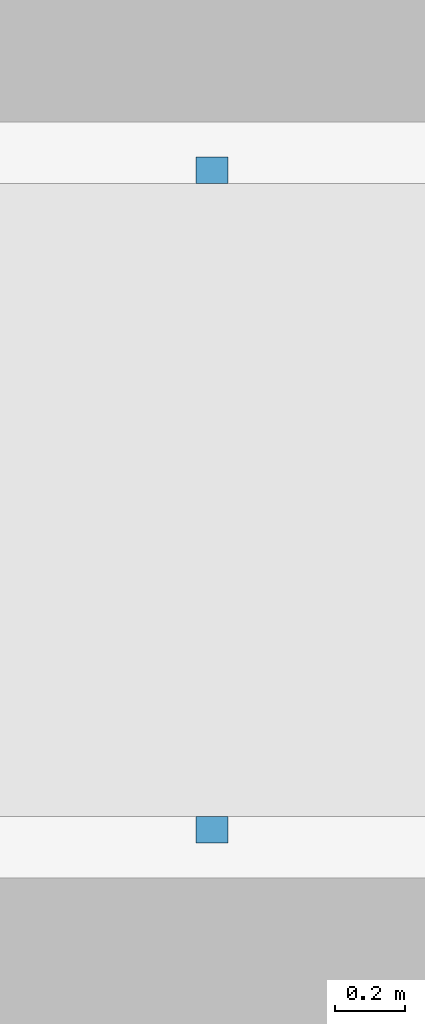
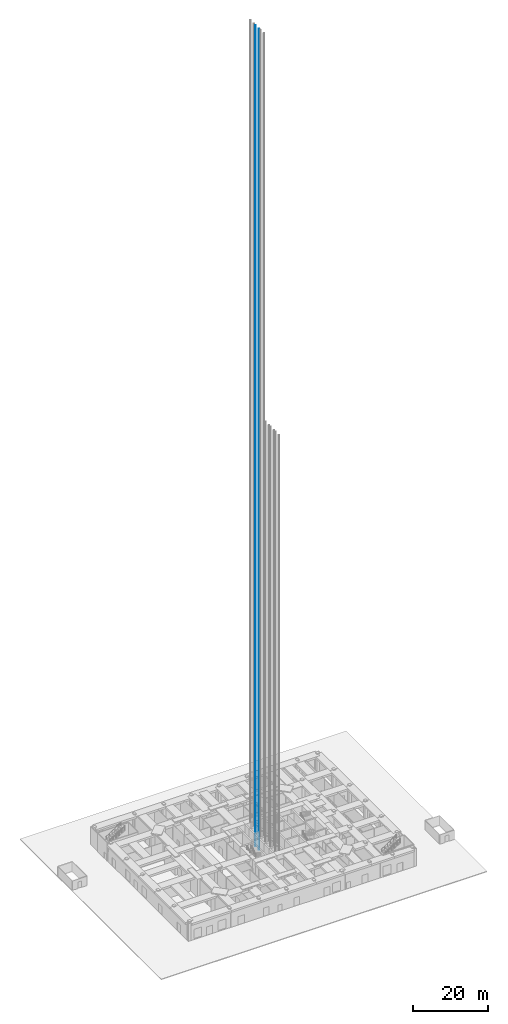
# One storey, part 13 of 17: 1 discrete accessory.
"""IFC4 building model written with IfcOpenShell, lengths in metres."""

from ifc_helpers import new_model, si_unit, direction, frame, origin, origin_2d, place, context, subcontext, project, spatial, rectangle, extrude, material, type_object, element, save


model = new_model("IFC4")

# Units and contexts
model_context = context("Model", 3, precision=1e-05, world=origin(), true_north=direction((0.0, 1.0)))
body_context = subcontext(model_context, "Body", "Model", "MODEL_VIEW")
ifc_project = project(units=[si_unit("LENGTHUNIT", "METRE"), si_unit("AREAUNIT", "SQUARE_METRE"), si_unit("VOLUMEUNIT", "CUBIC_METRE"), si_unit("PLANEANGLEUNIT", "RADIAN"), si_unit("MASSUNIT", "GRAM", prefix="KILO")], contexts=[model_context])

# Site, building, storey
site_placement = place(None, origin())
site = spatial("IfcSite", under=ifc_project, at=site_placement, CompositionType="ELEMENT")
building_placement = place(site_placement, origin())
building = spatial("IfcBuilding", under=site, at=building_placement, Name="Jalousie Tower", CompositionType="ELEMENT")
storey_placement = place(building_placement, origin())
storey = spatial("IfcBuildingStorey", under=building, at=storey_placement, Name="L00", CompositionType="ELEMENT", Elevation=0.0)

# Discrete accessory
ifc_material = material(Name="Steel ASTM A992 Grade 50", Category="steel")
discrete_accessory_type = type_object("IfcDiscreteAccessoryType", Name="LIFT GUIDE RAIL", PredefinedType="USERDEFINED", material=ifc_material)
discrete_accessory_placement = place(storey_placement, frame((27.52490234375, 22.39990234375, 0.0), z_axis=(0.0, 0.0, 1.0), x_axis=(1.0, 0.0, 0.0)))
element("IfcDiscreteAccessory", 1, at=discrete_accessory_placement, inside=storey, type_object=discrete_accessory_type, Name="Lift P5 guide rails", ObjectType="LIFT GUIDE RAILS", PredefinedType="USERDEFINED", context=body_context, shape_type="SweptSolid", body=[
    extrude(rectangle(XDim=0.09, YDim=0.075, at=origin_2d()), frame((0.0, -0.9375, 0.0)), (0.0, 0.0, 1.0), 266.25),
    extrude(rectangle(XDim=0.09, YDim=0.075, at=origin_2d()), frame((0.0, 0.9375, 0.0)), (0.0, 0.0, 1.0), 266.25),
])

save(model, "model.ifc")
